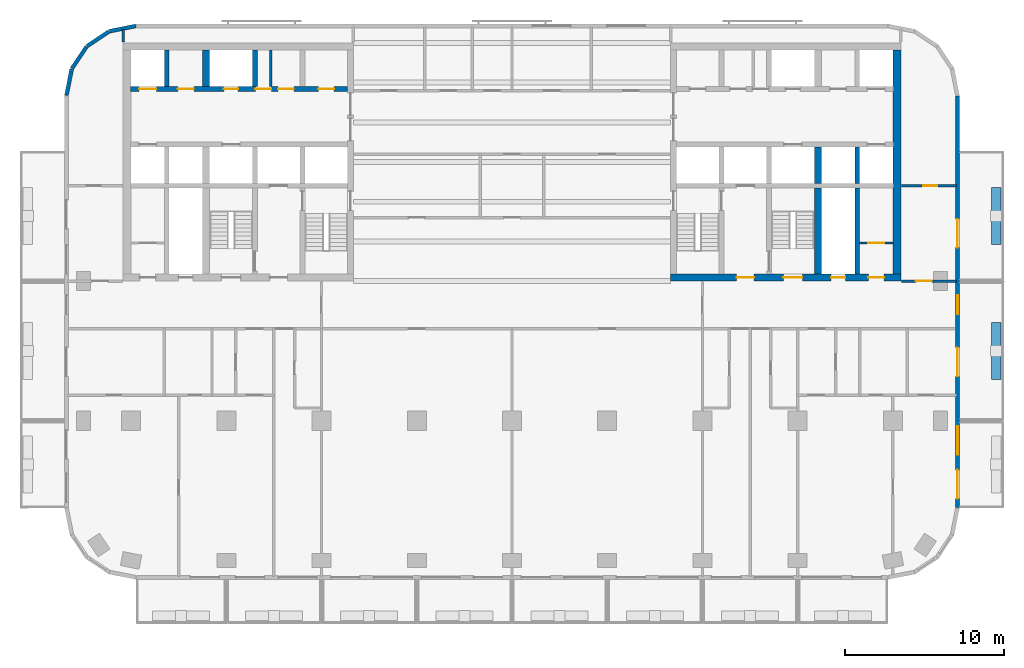
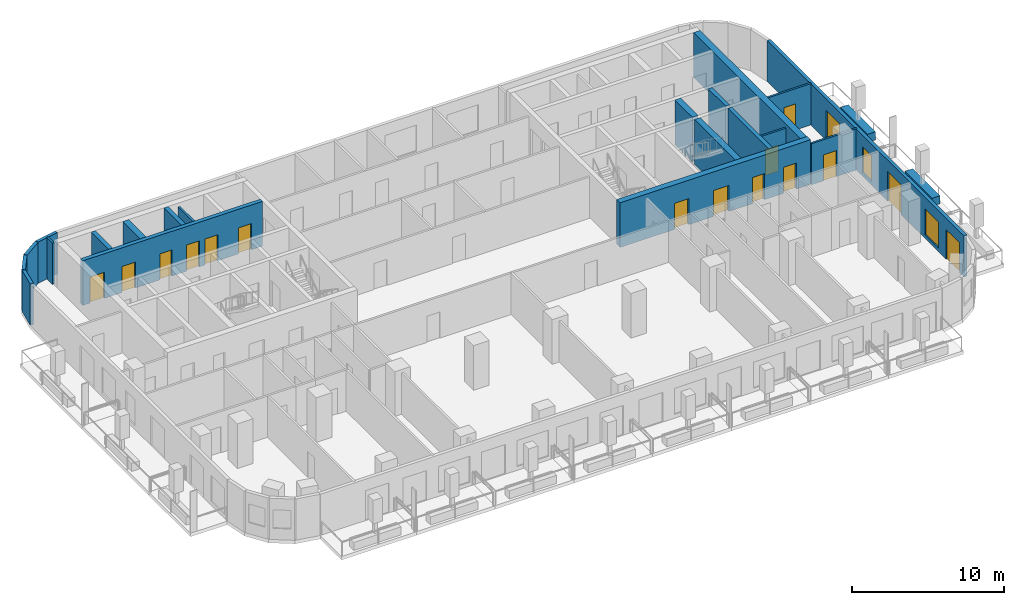
# One storey, part 6 of 11: 22 walls, 16 doors, 2 windows, 18 openings.
"""IFC4 building model written with IfcOpenShell, lengths in metres."""

from ifc_helpers import new_model, si_unit, direction, frame, frame_2d, origin, place, context, subcontext, project, spatial, rectangle, extrude, material, layer, layer_set, type_object, element, fill, save


model = new_model("IFC4")

# Units and contexts
model_context = context("Model", 3, precision=1e-05, world=origin(), true_north=direction((0.0, 1.0)))
body_context = subcontext(model_context, "Body", "Model", "MODEL_VIEW")
ifc_project = project(units=[si_unit("LENGTHUNIT", "METRE"), si_unit("AREAUNIT", "SQUARE_METRE"), si_unit("VOLUMEUNIT", "CUBIC_METRE"), si_unit("PLANEANGLEUNIT", "RADIAN"), si_unit("MASSUNIT", "GRAM", prefix="KILO")], contexts=[model_context])

# Site, building, storey
site_placement = place(None, origin())
site = spatial("IfcSite", under=ifc_project, at=site_placement, CompositionType="ELEMENT")
building_placement = place(site_placement, origin())
building = spatial("IfcBuilding", under=site, at=building_placement, Name="Torana Hotel and Residences", CompositionType="ELEMENT")
storey_placement = place(building_placement, frame((0.0, 0.0, 130.800048828125)))
storey = spatial("IfcBuildingStorey", under=building, at=storey_placement, Name="L33", CompositionType="ELEMENT", Elevation=130.800048828125)

# Wall, openings, doors
ifc_material_1 = material(Name="Concrete C70/85", Category="concrete")
ifc_layer_1 = layer(ifc_material_1, 0.300048828125)
ifc_layer_set_1 = layer_set([ifc_layer_1], Name="CORE WALL 300 C70/85")
wall_type_1 = type_object("IfcWallType", Name="CORE WALL 300 C70/85", PredefinedType="SHEAR", material=ifc_layer_set_1)
wall_1_placement = place(storey_placement, frame((-24.050048828125, -2.89990234375, 0.0), z_axis=(0.0, 0.0, 1.0), x_axis=(1.0, 0.0, 0.0)))
wall_1 = element("IfcWall", 1, at=wall_1_placement, inside=storey, type_object=wall_type_1, Name="Core wall W row-N", PredefinedType="SHEAR", context=body_context, shape_type="SweptSolid", body=[
    extrude(rectangle(XDim=13.699951171875, YDim=0.300048828125, at=frame_2d((6.85009765625, 0.0))), origin(), (0.0, 0.0, 1.0), 3.599853515625),
])
opening_1_placement = place(wall_1_placement, frame((0.550048828125, 0.0, 0.0)))
opening_1 = element("IfcOpeningElement", 2, at=opening_1_placement, cuts=wall_1, Name="Opening LD", PredefinedType="OPENING", context=body_context, shape_type="SweptSolid", body=[
    extrude(rectangle(XDim=1.10009765625, YDim=2.10009765625, at=frame_2d((0.550048828125, 1.050048828125))), frame((0.0, 0.159912109375, 0.0), z_axis=(0.0, -1.0, 0.0), x_axis=(1.0, 0.0, 0.0)), (0.0, 0.0, 1.0), 0.320068359375),
])
opening_2_placement = place(wall_1_placement, frame((5.89990234375, 0.0, 0.0)))
opening_2 = element("IfcOpeningElement", 3, at=opening_2_placement, cuts=wall_1, Name="Opening L33-08", PredefinedType="OPENING", context=body_context, shape_type="SweptSolid", body=[
    extrude(rectangle(XDim=0.89990234375, YDim=2.10009765625, at=frame_2d((0.449951171875, 1.050048828125))), frame((0.0, 0.159912109375, 0.0), z_axis=(0.0, -1.0, 0.0), x_axis=(1.0, 0.0, 0.0)), (0.0, 0.0, 1.0), 0.320068359375),
])
opening_3_placement = place(wall_1_placement, frame((11.85009765625, 0.0, 0.0)))
opening_3 = element("IfcOpeningElement", 4, at=opening_3_placement, cuts=wall_1, Name="Opening L33-09", PredefinedType="OPENING", context=body_context, shape_type="SweptSolid", body=[
    extrude(rectangle(XDim=1.0, YDim=2.10009765625, at=frame_2d((0.5, 1.050048828125))), frame((0.0, 0.159912109375, 0.0), z_axis=(0.0, -1.0, 0.0), x_axis=(1.0, 0.0, 0.0)), (0.0, 0.0, 1.0), 0.320068359375),
])
opening_4_placement = place(wall_1_placement, frame((9.3125, 0.0, 0.0)))
opening_4 = element("IfcOpeningElement", 5, at=opening_4_placement, cuts=wall_1, Name="Opening L33-10", PredefinedType="OPENING", context=body_context, shape_type="SweptSolid", body=[
    extrude(rectangle(XDim=1.0, YDim=2.10009765625, at=frame_2d((0.5, 1.050048828125))), frame((0.0, 0.159912109375, 0.0), z_axis=(0.0, -1.0, 0.0), x_axis=(1.0, 0.0, 0.0)), (0.0, 0.0, 1.0), 0.320068359375),
])
opening_5_placement = place(wall_1_placement, frame((7.887451171875, 0.0, 0.0)))
opening_5 = element("IfcOpeningElement", 6, at=opening_5_placement, cuts=wall_1, Name="Opening L33-11", PredefinedType="OPENING", context=body_context, shape_type="SweptSolid", body=[
    extrude(rectangle(XDim=1.0, YDim=2.10009765625, at=frame_2d((0.5, 1.050048828125))), frame((0.0, 0.159912109375, 0.0), z_axis=(0.0, -1.0, 0.0), x_axis=(1.0, 0.0, 0.0)), (0.0, 0.0, 1.0), 0.320068359375),
])
opening_6_placement = place(wall_1_placement, frame((3.0, 0.0, 0.0)))
opening_6 = element("IfcOpeningElement", 7, at=opening_6_placement, cuts=wall_1, Name="Opening L33-12", PredefinedType="OPENING", context=body_context, shape_type="SweptSolid", body=[
    extrude(rectangle(XDim=1.0, YDim=2.10009765625, at=frame_2d((0.5, 1.050048828125))), frame((0.0, 0.159912109375, 0.0), z_axis=(0.0, -1.0, 0.0), x_axis=(1.0, 0.0, 0.0)), (0.0, 0.0, 1.0), 0.320068359375),
])
ifc_material_2 = material(Name="Steel S235", Category="steel")
door_type_1 = type_object("IfcDoorType", Name="CORE ROOM FIRE DOOR D14 1000x2100", OperationType="SINGLE_SWING_LEFT", PredefinedType="DOOR", material=ifc_material_2)
door_1_placement = place(opening_3_placement, origin())
door_1 = element("IfcDoor", 8, at=door_1_placement, inside=storey, type_object=door_type_1, Name="N0 door L33", OperationType="SINGLE_SWING_RIGHT", OverallHeight=2.10009765625, OverallWidth=1.0, PredefinedType="DOOR", context=body_context, shape_type="SweptSolid", body=[
    extrude(rectangle(XDim=1.0, YDim=2.10009765625, at=frame_2d((0.5, 1.050048828125))), frame((0.0, 0.02490234375, 0.0), z_axis=(0.0, -1.0, 0.0), x_axis=(1.0, 0.0, 0.0)), (0.0, 0.0, 1.0), 0.050048828125),
])
fill(opening_3, door_1)
door_2_placement = place(opening_4_placement, origin())
door_2 = element("IfcDoor", 9, at=door_2_placement, inside=storey, type_object=door_type_1, Name="N1A door L33", OperationType="SINGLE_SWING_RIGHT", OverallHeight=2.10009765625, OverallWidth=1.0, PredefinedType="DOOR", context=body_context, shape_type="SweptSolid", body=[
    extrude(rectangle(XDim=1.0, YDim=2.10009765625, at=frame_2d((0.5, 1.050048828125))), frame((0.0, 0.02490234375, 0.0), z_axis=(0.0, -1.0, 0.0), x_axis=(1.0, 0.0, 0.0)), (0.0, 0.0, 1.0), 0.050048828125),
])
fill(opening_4, door_2)
door_3_placement = place(opening_5_placement, origin())
door_3 = element("IfcDoor", 10, at=door_3_placement, inside=storey, type_object=door_type_1, Name="N1B door L33", OperationType="SINGLE_SWING_RIGHT", OverallHeight=2.10009765625, OverallWidth=1.0, PredefinedType="DOOR", context=body_context, shape_type="SweptSolid", body=[
    extrude(rectangle(XDim=1.0, YDim=2.10009765625, at=frame_2d((0.5, 1.050048828125))), frame((0.0, 0.02490234375, 0.0), z_axis=(0.0, -1.0, 0.0), x_axis=(1.0, 0.0, 0.0)), (0.0, 0.0, 1.0), 0.050048828125),
])
fill(opening_5, door_3)
door_4_placement = place(opening_6_placement, origin())
door_4 = element("IfcDoor", 11, at=door_4_placement, inside=storey, type_object=door_type_1, Name="Freed-S1 door L33", OperationType="SINGLE_SWING_RIGHT", OverallHeight=2.10009765625, OverallWidth=1.0, PredefinedType="DOOR", context=body_context, shape_type="SweptSolid", body=[
    extrude(rectangle(XDim=1.0, YDim=2.10009765625, at=frame_2d((0.5, 1.050048828125))), frame((0.0, 0.02490234375, 0.0), z_axis=(0.0, -1.0, 0.0), x_axis=(1.0, 0.0, 0.0)), (0.0, 0.0, 1.0), 0.050048828125),
])
fill(opening_6, door_4)
ifc_material_3 = material(Name="Stainless steel 316", Category="steel")
door_type_2 = type_object("IfcDoorType", Name="LIFT LANDING DOOR LD 1100x2100", OperationType="DOUBLE_DOOR_SLIDING", PredefinedType="USERDEFINED", material=ifc_material_3)
door_5_placement = place(opening_1_placement, origin())
door_5 = element("IfcDoor", 12, at=door_5_placement, inside=storey, type_object=door_type_2, Name="Lift landing door M1 L33", ObjectType="LIFT LANDING DOOR", OperationType="DOUBLE_DOOR_SLIDING", OverallHeight=2.10009765625, OverallWidth=1.10009765625, PredefinedType="USERDEFINED", context=body_context, shape_type="SweptSolid", body=[
    extrude(rectangle(XDim=1.10009765625, YDim=2.10009765625, at=frame_2d((0.550048828125, 1.050048828125))), frame((0.0, 0.02490234375, 0.0), z_axis=(0.0, -1.0, 0.0), x_axis=(1.0, 0.0, 0.0)), (0.0, 0.0, 1.0), 0.050048828125),
])
fill(opening_1, door_5)
ifc_material_4 = material(Name="Steel S235", Category="steel")
door_type_3 = type_object("IfcDoorType", Name="RISER ACCESS DOOR D5 900x2100", OperationType="SINGLE_SWING_LEFT", PredefinedType="DOOR", material=ifc_material_4)
door_6_placement = place(opening_2_placement, origin())
door_6 = element("IfcDoor", 13, at=door_6_placement, inside=storey, type_object=door_type_3, Name="N2 door L33", OperationType="SINGLE_SWING_RIGHT", OverallHeight=2.10009765625, OverallWidth=0.89990234375, PredefinedType="DOOR", context=body_context, shape_type="SweptSolid", body=[
    extrude(rectangle(XDim=0.89990234375, YDim=2.10009765625, at=frame_2d((0.449951171875, 1.050048828125))), frame((0.0, 0.02490234375, 0.0), z_axis=(0.0, -1.0, 0.0), x_axis=(1.0, 0.0, 0.0)), (0.0, 0.0, 1.0), 0.050048828125),
])
fill(opening_2, door_6)

# Walls
for number, where, z_axis, x_axis, name in (
    (14, (-16.199951171875, -2.75, 0.0), (0.0, 0.0, 1.0), (0.0, 1.0, 0.0), "Core wall W x6.05-N"),
    (15, (-21.75, -2.75, 0.0), (0.0, 0.0, 1.0), (0.0, 1.0, 0.0), "Core wall W mm-N"),
    (16, (21.75, -8.85009765625, 0.0), (0.0, 0.0, 1.0), (0.0, 1.0, 0.0), "Core wall E mm-S"),
):
    element("IfcWall", number, at=place(storey_placement, frame(where, z_axis=z_axis, x_axis=x_axis)), inside=storey, type_object=wall_type_1, Name=name, PredefinedType="SHEAR", context=body_context, shape_type="SweptSolid", body=[
        extrude(rectangle(XDim=2.300048828125, YDim=0.300048828125, at=frame_2d((1.14990234375, 0.0))), origin(), (0.0, 0.0, 1.0), 3.599853515625),
    ])
wall_2_placement = place(storey_placement, frame((21.75, -14.550048828125, 0.0), z_axis=(0.0, 0.0, 1.0), x_axis=(0.0, 1.0, 0.0)))
element("IfcWall", 17, at=wall_2_placement, inside=storey, type_object=wall_type_1, Name="Core wall E mm-band", PredefinedType="SHEAR", context=body_context, shape_type="SweptSolid", body=[
    extrude(rectangle(XDim=5.400146484375, YDim=0.300048828125, at=frame_2d((2.7001953125, 0.0))), origin(), (0.0, 0.0, 1.0), 3.599853515625),
])
ifc_material_5 = material(Name="Concrete C70/85", Category="concrete")
ifc_layer_2 = layer(ifc_material_5, 0.449951171875)
ifc_layer_set_2 = layer_set([ifc_layer_2], Name="CORE WALL 450 C70/85")
wall_type_2 = type_object("IfcWallType", Name="CORE WALL 450 C70/85", PredefinedType="SHEAR", material=ifc_layer_set_2)
wall_3_placement = place(storey_placement, frame((-19.27490234375, -2.75, 0.0), z_axis=(0.0, 0.0, 1.0), x_axis=(0.0, 1.0, 0.0)))
element("IfcWall", 18, at=wall_3_placement, inside=storey, type_object=wall_type_2, Name="Core wall W hm-N", PredefinedType="SHEAR", context=body_context, shape_type="SweptSolid", body=[
    extrude(rectangle(XDim=2.300048828125, YDim=0.449951171875, at=frame_2d((1.14990234375, 0.0))), origin(), (0.0, 0.0, 1.0), 3.599853515625),
])

# Wall, openings, doors
wall_4_placement = place(storey_placement, frame((10.0, -14.77490234375, 0.0), z_axis=(0.0, 0.0, 1.0), x_axis=(1.0, 0.0, 0.0)))
wall_4 = element("IfcWall", 19, at=wall_4_placement, inside=storey, type_object=wall_type_2, Name="Core wall E front", PredefinedType="SHEAR", context=body_context, shape_type="SweptSolid", body=[
    extrude(rectangle(XDim=14.5, YDim=0.449951171875, at=frame_2d((7.25, 0.0))), origin(), (0.0, 0.0, 1.0), 3.599853515625),
])
opening_7_placement = place(wall_4_placement, frame((7.10009765625, 0.0, 0.0)))
opening_7 = element("IfcOpeningElement", 20, at=opening_7_placement, cuts=wall_4, Name="Opening L33-18", PredefinedType="OPENING", context=body_context, shape_type="SweptSolid", body=[
    extrude(rectangle(XDim=1.199951171875, YDim=2.10009765625, at=frame_2d((0.60009765625, 1.050048828125))), frame((0.0, 0.23486328125, 0.0), z_axis=(0.0, -1.0, 0.0), x_axis=(1.0, 0.0, 0.0)), (0.0, 0.0, 1.0), 0.469970703125),
])
opening_8_placement = place(wall_4_placement, frame((4.14990234375, 0.0, 0.0)))
opening_8 = element("IfcOpeningElement", 21, at=opening_8_placement, cuts=wall_4, Name="Opening L33-19", PredefinedType="OPENING", context=body_context, shape_type="SweptSolid", body=[
    extrude(rectangle(XDim=1.10009765625, YDim=2.10009765625, at=frame_2d((0.550048828125, 1.050048828125))), frame((0.0, 0.23486328125, 0.0), z_axis=(0.0, -1.0, 0.0), x_axis=(1.0, 0.0, 0.0)), (0.0, 0.0, 1.0), 0.469970703125),
])
opening_9_placement = place(wall_4_placement, frame((10.10009765625, 0.0, 0.0)))
opening_9 = element("IfcOpeningElement", 22, at=opening_9_placement, cuts=wall_4, Name="Opening L33-20", PredefinedType="OPENING", context=body_context, shape_type="SweptSolid", body=[
    extrude(rectangle(XDim=0.89990234375, YDim=2.10009765625, at=frame_2d((0.449951171875, 1.050048828125))), frame((0.0, 0.23486328125, 0.0), z_axis=(0.0, -1.0, 0.0), x_axis=(1.0, 0.0, 0.0)), (0.0, 0.0, 1.0), 0.469970703125),
])
opening_10_placement = place(wall_4_placement, frame((12.449951171875, 0.0, 0.0)))
opening_10 = element("IfcOpeningElement", 23, at=opening_10_placement, cuts=wall_4, Name="Opening L33-21", PredefinedType="OPENING", context=body_context, shape_type="SweptSolid", body=[
    extrude(rectangle(XDim=1.0, YDim=2.10009765625, at=frame_2d((0.5, 1.050048828125))), frame((0.0, 0.23486328125, 0.0), z_axis=(0.0, -1.0, 0.0), x_axis=(1.0, 0.0, 0.0)), (0.0, 0.0, 1.0), 0.469970703125),
])
door_7_placement = place(opening_10_placement, origin())
door_7 = element("IfcDoor", 24, at=door_7_placement, inside=storey, type_object=door_type_1, Name="M-Room-B door L33", OperationType="SINGLE_SWING_RIGHT", OverallHeight=2.10009765625, OverallWidth=1.0, PredefinedType="DOOR", context=body_context, shape_type="SweptSolid", body=[
    extrude(rectangle(XDim=1.0, YDim=2.10009765625, at=frame_2d((0.5, 1.050048828125))), frame((0.0, 0.02490234375, 0.0), z_axis=(0.0, -1.0, 0.0), x_axis=(1.0, 0.0, 0.0)), (0.0, 0.0, 1.0), 0.050048828125),
])
fill(opening_10, door_7)
ifc_material_6 = material(Name="Steel S235", Category="steel")
door_type_4 = type_object("IfcDoorType", Name="FIRE-FIGHTING LOBBY DOOR D8 1100x2100", OperationType="SINGLE_SWING_LEFT", PredefinedType="DOOR", material=ifc_material_6)
door_8_placement = place(opening_8_placement, origin())
door_8 = element("IfcDoor", 25, at=door_8_placement, inside=storey, type_object=door_type_4, Name="FF-lobby door L33", OperationType="SINGLE_SWING_RIGHT", OverallHeight=2.10009765625, OverallWidth=1.10009765625, PredefinedType="DOOR", context=body_context, shape_type="SweptSolid", body=[
    extrude(rectangle(XDim=1.10009765625, YDim=2.10009765625, at=frame_2d((0.550048828125, 1.050048828125))), frame((0.0, 0.02490234375, 0.0), z_axis=(0.0, -1.0, 0.0), x_axis=(1.0, 0.0, 0.0)), (0.0, 0.0, 1.0), 0.050048828125),
])
fill(opening_8, door_8)
door_9_placement = place(opening_9_placement, origin())
door_9 = element("IfcDoor", 26, at=door_9_placement, inside=storey, type_object=door_type_3, Name="M-Riser door L33", OperationType="SINGLE_SWING_RIGHT", OverallHeight=2.10009765625, OverallWidth=0.89990234375, PredefinedType="DOOR", context=body_context, shape_type="SweptSolid", body=[
    extrude(rectangle(XDim=0.89990234375, YDim=2.10009765625, at=frame_2d((0.449951171875, 1.050048828125))), frame((0.0, 0.02490234375, 0.0), z_axis=(0.0, -1.0, 0.0), x_axis=(1.0, 0.0, 0.0)), (0.0, 0.0, 1.0), 0.050048828125),
])
fill(opening_9, door_9)
ifc_material_7 = material(Name="Steel S235", Category="steel")
door_type_5 = type_object("IfcDoorType", Name="STAIR FIRE DOOR D3 1200x2100", OperationType="SINGLE_SWING_LEFT", PredefinedType="DOOR", material=ifc_material_7)
door_10_placement = place(opening_7_placement, origin())
door_10 = element("IfcDoor", 27, at=door_10_placement, inside=storey, type_object=door_type_5, Name="Stair-B door L33", OperationType="SINGLE_SWING_RIGHT", OverallHeight=2.10009765625, OverallWidth=1.199951171875, PredefinedType="DOOR", context=body_context, shape_type="SweptSolid", body=[
    extrude(rectangle(XDim=1.199951171875, YDim=2.10009765625, at=frame_2d((0.60009765625, 1.050048828125))), frame((0.0, 0.02490234375, 0.0), z_axis=(0.0, -1.0, 0.0), x_axis=(1.0, 0.0, 0.0)), (0.0, 0.0, 1.0), 0.050048828125),
])
fill(opening_7, door_10)

# Walls
wall_5_placement = place(storey_placement, frame((19.27490234375, -8.85009765625, 0.0), z_axis=(0.0, 0.0, 1.0), x_axis=(0.0, 1.0, 0.0)))
element("IfcWall", 28, at=wall_5_placement, inside=storey, type_object=wall_type_2, Name="Core wall E hm-S", PredefinedType="SHEAR", context=body_context, shape_type="SweptSolid", body=[
    extrude(rectangle(XDim=2.300048828125, YDim=0.449951171875, at=frame_2d((1.14990234375, 0.0))), origin(), (0.0, 0.0, 1.0), 3.599853515625),
])
wall_6_placement = place(storey_placement, frame((19.27490234375, -14.550048828125, 0.0), z_axis=(0.0, 0.0, 1.0), x_axis=(0.0, 1.0, 0.0)))
element("IfcWall", 29, at=wall_6_placement, inside=storey, type_object=wall_type_2, Name="Core wall E hm-band", PredefinedType="SHEAR", context=body_context, shape_type="SweptSolid", body=[
    extrude(rectangle(XDim=5.400146484375, YDim=0.449951171875, at=frame_2d((2.7001953125, 0.0))), origin(), (0.0, 0.0, 1.0), 3.599853515625),
])
ifc_material_8 = material(Name="Concrete C70/85", Category="concrete")
ifc_layer_3 = layer(ifc_material_8, 0.5)
ifc_layer_set_3 = layer_set([ifc_layer_3], Name="CORE WALL 500 C70/85")
wall_type_3 = type_object("IfcWallType", Name="CORE WALL 500 C70/85", PredefinedType="SHEAR", material=ifc_layer_set_3)
wall_7_placement = place(storey_placement, frame((24.25, -14.550048828125, 0.0), z_axis=(0.0, 0.0, 1.0), x_axis=(0.0, 1.0, 0.0)))
element("IfcWall", 30, at=wall_7_placement, inside=storey, type_object=wall_type_3, Name="Core wall E outer", PredefinedType="SHEAR", context=body_context, shape_type="SweptSolid", body=[
    extrude(rectangle(XDim=14.10009765625, YDim=0.5, at=frame_2d((7.050048828125, 0.0))), origin(), (0.0, 0.0, 1.0), 3.599853515625),
])
ifc_material_9 = material(Name="Black aluminium composite panel", Category="aluminium")
ifc_layer_4 = layer(ifc_material_9, 0.00390625, Name="Cladding", Category="cladding")
ifc_material_10 = material(Name="Ventilated air cavity")
ifc_layer_5 = layer(ifc_material_10, 0.0400390625, Name="Ventilated cavity", Category="cavity")
ifc_material_11 = material(Name="Mineral wool insulation")
ifc_layer_6 = layer(ifc_material_11, 0.090087890625, Name="Insulation", Category="insulation")
ifc_material_12 = material(Name="Steel S280GD", Category="steel")
ifc_layer_7 = layer(ifc_material_12, 0.092041015625, Name="Steel stud frame", Category="structure")
ifc_material_13 = material(Name="Fire rated plasterboard")
ifc_layer_8 = layer(ifc_material_13, 0.011962890625, Name="Inner board", Category="finish")
ifc_layer_9 = layer(ifc_material_13, 0.011962890625, Name="Second board", Category="finish")
ifc_layer_set_4 = layer_set([ifc_layer_4, ifc_layer_5, ifc_layer_6, ifc_layer_7, ifc_layer_8, ifc_layer_9], Name="EW1 EXTERNAL WALL BLACK METAL CLAD 250")
wall_type_4 = type_object("IfcWallType", Name="EW1 EXTERNAL WALL BLACK METAL CLAD 250", PredefinedType="SOLIDWALL", material=ifc_layer_set_4)
wall_8_placement = place(storey_placement, frame((-23.69970703125, 1.072509765625, 0.0), z_axis=(0.0, 0.0, 1.0), x_axis=(-0.980803419081, -0.194999110559, 0.0)))
element("IfcWall", 31, at=wall_8_placement, inside=storey, type_object=wall_type_4, Name="External wall L33 e0.5", PredefinedType="SOLIDWALL", context=body_context, shape_type="SweptSolid", body=[
    extrude(rectangle(XDim=1.681396484375, YDim=0.25, at=frame_2d((0.8408203125, 0.0))), origin(), (0.0, 0.0, 1.0), 3.320068359375),
])
for number, where, z_axis, x_axis, name in (
    (32, (-25.39404296875, 0.725830078125, 0.0), (0.0, 0.0, 1.0), (-0.831482937015, -0.55555029066, 0.0), "External wall L33 e0.6"),
    (33, (-26.8056640625, -0.228759765625, 0.0), (0.0, 0.0, 1.0), (-0.55555029066, -0.831482937015, 0.0), "External wall L33 e0.7"),
):
    element("IfcWall", number, at=place(storey_placement, frame(where, z_axis=z_axis, x_axis=x_axis)), inside=storey, type_object=wall_type_4, Name=name, PredefinedType="SOLIDWALL", context=body_context, shape_type="SweptSolid", body=[
        extrude(rectangle(XDim=1.65625, YDim=0.25, at=frame_2d((0.828125, 0.0))), origin(), (0.0, 0.0, 1.0), 3.320068359375),
    ])
wall_9_placement = place(storey_placement, frame((-27.74462890625, -1.651123046875, 0.0), z_axis=(0.0, 0.0, 1.0), x_axis=(-0.194999110559, -0.980803419081, 0.0)))
element("IfcWall", 34, at=wall_9_placement, inside=storey, type_object=wall_type_4, Name="External wall L33 e0.8", PredefinedType="SOLIDWALL", context=body_context, shape_type="SweptSolid", body=[
    extrude(rectangle(XDim=1.681396484375, YDim=0.25, at=frame_2d((0.8408203125, 0.0))), origin(), (0.0, 0.0, 1.0), 3.320068359375),
])

# Wall, openings, doors, windows
wall_10_placement = place(storey_placement, frame((28.074951171875, -29.275390625, 0.0), z_axis=(0.0, 0.0, 1.0), x_axis=(0.0, 1.0, 0.0)))
wall_10 = element("IfcWall", 35, at=wall_10_placement, inside=storey, type_object=wall_type_4, Name="External wall L33 e0.19", PredefinedType="SOLIDWALL", context=body_context, shape_type="SweptSolid", body=[
    extrude(rectangle(XDim=25.95068359375, YDim=0.25, at=frame_2d((12.975341796875, 0.0))), origin(), (0.0, 0.0, 1.0), 3.320068359375),
])
opening_11_placement = place(wall_10_placement, frame((0.575439453125, 0.0, 0.0)))
opening_11 = element("IfcOpeningElement", 36, at=opening_11_placement, cuts=wall_10, Name="Opening L33-E09", PredefinedType="OPENING", context=body_context, shape_type="SweptSolid", body=[
    extrude(rectangle(XDim=1.800048828125, YDim=2.39990234375, at=frame_2d((0.89990234375, 1.199951171875))), frame((0.0, 0.135009765625, 0.0), z_axis=(0.0, -1.0, 0.0), x_axis=(1.0, 0.0, 0.0)), (0.0, 0.0, 1.0), 0.27001953125),
])
opening_12_placement = place(wall_10_placement, frame((3.325439453125, 0.0, 0.300048828125)))
opening_12 = element("IfcOpeningElement", 37, at=opening_12_placement, cuts=wall_10, Name="Opening W2", PredefinedType="OPENING", context=body_context, shape_type="SweptSolid", body=[
    extrude(rectangle(XDim=1.800048828125, YDim=2.10009765625, at=frame_2d((0.89990234375, 1.050048828125))), frame((0.0, 0.135009765625, 0.0), z_axis=(0.0, -1.0, 0.0), x_axis=(1.0, 0.0, 0.0)), (0.0, 0.0, 1.0), 0.27001953125),
])
opening_13_placement = place(wall_10_placement, frame((8.275390625, 0.0, 0.0)))
opening_13 = element("IfcOpeningElement", 38, at=opening_13_placement, cuts=wall_10, Name="Opening L33-E10", PredefinedType="OPENING", context=body_context, shape_type="SweptSolid", body=[
    extrude(rectangle(XDim=1.800048828125, YDim=2.39990234375, at=frame_2d((0.89990234375, 1.199951171875))), frame((0.0, 0.135009765625, 0.0), z_axis=(0.0, -1.0, 0.0), x_axis=(1.0, 0.0, 0.0)), (0.0, 0.0, 1.0), 0.27001953125),
])
opening_14_placement = place(wall_10_placement, frame((12.17529296875, 0.0, 0.300048828125)))
opening_14 = element("IfcOpeningElement", 39, at=opening_14_placement, cuts=wall_10, Name="Opening W7", PredefinedType="OPENING", context=body_context, shape_type="SweptSolid", body=[
    extrude(rectangle(XDim=1.199951171875, YDim=2.10009765625, at=frame_2d((0.60009765625, 1.050048828125))), frame((0.0, 0.135009765625, 0.0), z_axis=(0.0, -1.0, 0.0), x_axis=(1.0, 0.0, 0.0)), (0.0, 0.0, 1.0), 0.27001953125),
])
opening_15_placement = place(wall_10_placement, frame((16.37548828125, 0.0, 0.0)))
opening_15 = element("IfcOpeningElement", 40, at=opening_15_placement, cuts=wall_10, Name="Opening L33-E11", PredefinedType="OPENING", context=body_context, shape_type="SweptSolid", body=[
    extrude(rectangle(XDim=1.800048828125, YDim=2.39990234375, at=frame_2d((0.89990234375, 1.199951171875))), frame((0.0, 0.135009765625, 0.0), z_axis=(0.0, -1.0, 0.0), x_axis=(1.0, 0.0, 0.0)), (0.0, 0.0, 1.0), 0.27001953125),
])
ifc_material_14 = material(Name="Dark glass in black aluminium frame", Category="aluminium")
door_type_6 = type_object("IfcDoorType", Name="DB1 BALCONY DOOR 1800x2400", OperationType="DOUBLE_DOOR_SINGLE_SWING", PredefinedType="DOOR", material=ifc_material_14)
door_11_placement = place(opening_11_placement, origin())
door_11 = element("IfcDoor", 41, at=door_11_placement, inside=storey, type_object=door_type_6, Name="Balcony door L33", OperationType="DOUBLE_DOOR_SINGLE_SWING", OverallHeight=2.39990234375, OverallWidth=1.800048828125, PredefinedType="DOOR", context=body_context, shape_type="SweptSolid", body=[
    extrude(rectangle(XDim=1.800048828125, YDim=2.39990234375, at=frame_2d((0.89990234375, 1.199951171875))), frame((0.0, 0.02490234375, 0.0), z_axis=(0.0, -1.0, 0.0), x_axis=(1.0, 0.0, 0.0)), (0.0, 0.0, 1.0), 0.050048828125),
])
fill(opening_11, door_11)
door_12_placement = place(opening_13_placement, origin())
door_12 = element("IfcDoor", 42, at=door_12_placement, inside=storey, type_object=door_type_6, Name="Balcony door L33", OperationType="DOUBLE_DOOR_SINGLE_SWING", OverallHeight=2.39990234375, OverallWidth=1.800048828125, PredefinedType="DOOR", context=body_context, shape_type="SweptSolid", body=[
    extrude(rectangle(XDim=1.800048828125, YDim=2.39990234375, at=frame_2d((0.89990234375, 1.199951171875))), frame((0.0, 0.02490234375, 0.0), z_axis=(0.0, -1.0, 0.0), x_axis=(1.0, 0.0, 0.0)), (0.0, 0.0, 1.0), 0.050048828125),
])
fill(opening_13, door_12)
door_13_placement = place(opening_15_placement, origin())
door_13 = element("IfcDoor", 43, at=door_13_placement, inside=storey, type_object=door_type_6, Name="Balcony door L33", OperationType="DOUBLE_DOOR_SINGLE_SWING", OverallHeight=2.39990234375, OverallWidth=1.800048828125, PredefinedType="DOOR", context=body_context, shape_type="SweptSolid", body=[
    extrude(rectangle(XDim=1.800048828125, YDim=2.39990234375, at=frame_2d((0.89990234375, 1.199951171875))), frame((0.0, 0.02490234375, 0.0), z_axis=(0.0, -1.0, 0.0), x_axis=(1.0, 0.0, 0.0)), (0.0, 0.0, 1.0), 0.050048828125),
])
fill(opening_15, door_13)
ifc_material_15 = material(Name="Dark glass in black aluminium frame", Category="aluminium")
window_type_1 = type_object("IfcWindowType", Name="W2 HOTEL ROOM WINDOW NARROW 1800x2100", PartitioningType="SINGLE_PANEL", PredefinedType="WINDOW", material=ifc_material_15)
window_1_placement = place(opening_12_placement, origin())
window_1 = element("IfcWindow", 44, at=window_1_placement, inside=storey, type_object=window_type_1, Name="Window L33", OverallHeight=2.10009765625, OverallWidth=1.800048828125, PartitioningType="SINGLE_PANEL", PredefinedType="WINDOW", context=body_context, shape_type="SweptSolid", body=[
    extrude(rectangle(XDim=1.800048828125, YDim=2.10009765625, at=frame_2d((0.89990234375, 1.050048828125))), frame((0.0, 0.030029296875, 0.0), z_axis=(0.0, -1.0, 0.0), x_axis=(1.0, 0.0, 0.0)), (0.0, 0.0, 1.0), 0.06005859375),
])
fill(opening_12, window_1)
ifc_material_16 = material(Name="Dark glass in black aluminium frame", Category="aluminium")
window_type_2 = type_object("IfcWindowType", Name="W7 HOTEL CORRIDOR WINDOW 1200x2100", PartitioningType="SINGLE_PANEL", PredefinedType="WINDOW", material=ifc_material_16)
window_2_placement = place(opening_14_placement, origin())
window_2 = element("IfcWindow", 45, at=window_2_placement, inside=storey, type_object=window_type_2, Name="Window L33", OverallHeight=2.10009765625, OverallWidth=1.199951171875, PartitioningType="SINGLE_PANEL", PredefinedType="WINDOW", context=body_context, shape_type="SweptSolid", body=[
    extrude(rectangle(XDim=1.199951171875, YDim=2.10009765625, at=frame_2d((0.60009765625, 1.050048828125))), frame((0.0, 0.030029296875, 0.0), z_axis=(0.0, -1.0, 0.0), x_axis=(1.0, 0.0, 0.0)), (0.0, 0.0, 1.0), 0.06005859375),
])
fill(opening_14, window_2)

# Wall
ifc_material_17 = material(Name="Gypsum plaster")
ifc_layer_10 = layer(ifc_material_17, 0.014892578125, Name="Plaster", Category="finish")
ifc_material_18 = material(Name="Concrete blockwork", Category="masonry")
ifc_layer_11 = layer(ifc_material_18, 0.1201171875, Name="Blockwork", Category="structure")
ifc_layer_12 = layer(ifc_material_17, 0.014892578125, Name="Plaster", Category="finish")
ifc_layer_set_5 = layer_set([ifc_layer_10, ifc_layer_11, ifc_layer_12], Name="FIRE PARTITION 150 BLOCKWORK")
wall_type_5 = type_object("IfcWallType", Name="FIRE PARTITION 150 BLOCKWORK", PredefinedType="PARTITIONING", material=ifc_layer_set_5)
wall_11_placement = place(storey_placement, frame((-15.199951171875, -2.75, 0.0), z_axis=(0.0, 0.0, 1.0), x_axis=(0.0, 1.0, 0.0)))
element("IfcWall", 46, at=wall_11_placement, inside=storey, type_object=wall_type_5, Name="Core partition L33", PredefinedType="PARTITIONING", context=body_context, shape_type="SweptSolid", body=[
    extrude(rectangle(XDim=2.300048828125, YDim=0.14990234375, at=frame_2d((1.14990234375, 0.0))), origin(), (0.0, 0.0, 1.0), 3.300048828125),
])

# Wall, opening, door
wall_12_placement = place(storey_placement, frame((21.89990234375, -12.60009765625, 0.0), z_axis=(0.0, 0.0, 1.0), x_axis=(1.0, 0.0, 0.0)))
wall_12 = element("IfcWall", 47, at=wall_12_placement, inside=storey, type_object=wall_type_5, Name="Core partition L33", PredefinedType="PARTITIONING", context=body_context, shape_type="SweptSolid", body=[
    extrude(rectangle(XDim=2.10009765625, YDim=0.14990234375, at=frame_2d((1.050048828125, 0.0))), origin(), (0.0, 0.0, 1.0), 3.300048828125),
])
opening_16_placement = place(wall_12_placement, frame((0.550048828125, 0.0, 0.0)))
opening_16 = element("IfcOpeningElement", 48, at=opening_16_placement, cuts=wall_12, Name="Opening L33-30", PredefinedType="OPENING", context=body_context, shape_type="SweptSolid", body=[
    extrude(rectangle(XDim=1.0, YDim=2.10009765625, at=frame_2d((0.5, 1.050048828125))), frame((0.0, 0.0849609375, 0.0), z_axis=(0.0, -1.0, 0.0), x_axis=(1.0, 0.0, 0.0)), (0.0, 0.0, 1.0), 0.169921875),
])
door_14_placement = place(opening_16_placement, origin())
door_14 = element("IfcDoor", 49, at=door_14_placement, inside=storey, type_object=door_type_1, Name="Plant room door L33", OperationType="SINGLE_SWING_RIGHT", OverallHeight=2.10009765625, OverallWidth=1.0, PredefinedType="DOOR", context=body_context, shape_type="SweptSolid", body=[
    extrude(rectangle(XDim=1.0, YDim=2.10009765625, at=frame_2d((0.5, 1.050048828125))), frame((0.0, 0.02490234375, 0.0), z_axis=(0.0, -1.0, 0.0), x_axis=(1.0, 0.0, 0.0)), (0.0, 0.0, 1.0), 0.050048828125),
])
fill(opening_16, door_14)

wall_13_placement = place(storey_placement, frame((24.550048828125, -15.0, 0.0), z_axis=(0.0, 0.0, 1.0), x_axis=(1.0, 0.0, 0.0)))
wall_13 = element("IfcWall", 50, at=wall_13_placement, inside=storey, type_object=wall_type_5, Name="Partition L33", PredefinedType="PARTITIONING", context=body_context, shape_type="SweptSolid", body=[
    extrude(rectangle(XDim=3.469970703125, YDim=0.14990234375, at=frame_2d((1.73486328125, 0.0))), origin(), (0.0, 0.0, 1.0), 3.320068359375),
])
opening_17_placement = place(wall_13_placement, frame((0.89990234375, 0.0, 0.0)))
opening_17 = element("IfcOpeningElement", 51, at=opening_17_placement, cuts=wall_13, Name="Opening L33-39", PredefinedType="OPENING", context=body_context, shape_type="SweptSolid", body=[
    extrude(rectangle(XDim=1.0, YDim=2.10009765625, at=frame_2d((0.5, 1.050048828125))), frame((0.0, 0.0849609375, 0.0), z_axis=(0.0, -1.0, 0.0), x_axis=(1.0, 0.0, 0.0)), (0.0, 0.0, 1.0), 0.169921875),
])
door_15_placement = place(opening_17_placement, origin())
door_15 = element("IfcDoor", 52, at=door_15_placement, inside=storey, type_object=door_type_1, Name="Door L33", OperationType="SINGLE_SWING_LEFT", OverallHeight=2.10009765625, OverallWidth=1.0, PredefinedType="DOOR", context=body_context, shape_type="SweptSolid", body=[
    extrude(rectangle(XDim=1.0, YDim=2.10009765625, at=frame_2d((0.5, 1.050048828125))), frame((0.0, 0.02490234375, 0.0), z_axis=(0.0, -1.0, 0.0), x_axis=(1.0, 0.0, 0.0)), (0.0, 0.0, 1.0), 0.050048828125),
])
fill(opening_17, door_15)

# Wall
ifc_material_19 = material(Name="Gypsum plasterboard")
ifc_layer_13 = layer(ifc_material_19, 0.012451171875, Name="Plasterboard", Category="finish")
ifc_layer_14 = layer(ifc_material_19, 0.012451171875, Name="Plasterboard", Category="finish")
ifc_layer_15 = layer(ifc_material_12, 0.10009765625, Name="Steel studs with mineral wool", Category="insulation")
ifc_layer_16 = layer(ifc_material_19, 0.012451171875, Name="Plasterboard", Category="finish")
ifc_layer_17 = layer(ifc_material_19, 0.012451171875, Name="Plasterboard", Category="finish")
ifc_layer_set_6 = layer_set([ifc_layer_13, ifc_layer_14, ifc_layer_15, ifc_layer_16, ifc_layer_17], Name="PARTITION 150 PLASTERBOARD")
wall_type_6 = type_object("IfcWallType", Name="PARTITION 150 PLASTERBOARD", PredefinedType="PARTITIONING", material=ifc_layer_set_6)
wall_14_placement = place(storey_placement, frame((-24.5, 0.050048828125, 0.0), z_axis=(0.0, 0.0, 1.0), x_axis=(0.0, 1.0, 0.0)))
element("IfcWall", 53, at=wall_14_placement, inside=storey, type_object=wall_type_6, Name="Partition L33", PredefinedType="PARTITIONING", context=body_context, shape_type="SweptSolid", body=[
    extrude(rectangle(XDim=0.807373046875, YDim=0.14990234375, at=frame_2d((0.40380859375, 0.0))), origin(), (0.0, 0.0, 1.0), 3.320068359375),
])

# Wall, opening, door
wall_15_placement = place(storey_placement, frame((24.550048828125, -9.0, 0.0), z_axis=(0.0, 0.0, 1.0), x_axis=(1.0, 0.0, 0.0)))
wall_15 = element("IfcWall", 54, at=wall_15_placement, inside=storey, type_object=wall_type_6, Name="Partition L33", PredefinedType="PARTITIONING", context=body_context, shape_type="SweptSolid", body=[
    extrude(rectangle(XDim=3.469970703125, YDim=0.14990234375, at=frame_2d((1.73486328125, 0.0))), origin(), (0.0, 0.0, 1.0), 3.320068359375),
])
opening_18_placement = place(wall_15_placement, frame((1.35009765625, 0.0, 0.0)))
opening_18 = element("IfcOpeningElement", 55, at=opening_18_placement, cuts=wall_15, Name="Opening L33-65", PredefinedType="OPENING", context=body_context, shape_type="SweptSolid", body=[
    extrude(rectangle(XDim=0.89990234375, YDim=2.10009765625, at=frame_2d((0.449951171875, 1.050048828125))), frame((0.0, 0.0849609375, 0.0), z_axis=(0.0, -1.0, 0.0), x_axis=(1.0, 0.0, 0.0)), (0.0, 0.0, 1.0), 0.169921875),
])
ifc_material_20 = material(Name="Timber door, oiled ash", Category="wood")
door_type_7 = type_object("IfcDoorType", Name="ROOM DOOR D7 900x2100", OperationType="SINGLE_SWING_LEFT", PredefinedType="DOOR", material=ifc_material_20)
door_16_placement = place(opening_18_placement, origin())
door_16 = element("IfcDoor", 56, at=door_16_placement, inside=storey, type_object=door_type_7, Name="Door L33", OperationType="SINGLE_SWING_LEFT", OverallHeight=2.10009765625, OverallWidth=0.89990234375, PredefinedType="DOOR", context=body_context, shape_type="SweptSolid", body=[
    extrude(rectangle(XDim=0.89990234375, YDim=2.10009765625, at=frame_2d((0.449951171875, 1.050048828125))), frame((0.0, 0.02490234375, 0.0), z_axis=(0.0, -1.0, 0.0), x_axis=(1.0, 0.0, 0.0)), (0.0, 0.0, 1.0), 0.050048828125),
])
fill(opening_18, door_16)

# Walls
ifc_material_21 = material(Name="Concrete C40/50 precast", Category="concrete")
ifc_layer_18 = layer(ifc_material_21, 0.10009765625, Name="Planter shell", Category="structure")
ifc_material_22 = material(Name="Root resistant membrane")
ifc_layer_19 = layer(ifc_material_22, 0.00390625, Name="Waterproofing membrane", Category="membrane")
ifc_material_23 = material(Name="Drainage board with filter fleece")
ifc_layer_20 = layer(ifc_material_23, 0.02001953125, Name="Drainage board", Category="drainage")
ifc_material_24 = material(Name="Growing medium")
ifc_layer_21 = layer(ifc_material_24, 0.47607421875, Name="Planting substrate", Category="soil")
ifc_layer_set_7 = layer_set([ifc_layer_18, ifc_layer_19, ifc_layer_20, ifc_layer_21], Name="PL1 BALCONY PLANTER 600")
wall_type_7 = type_object("IfcWallType", Name="PL1 BALCONY PLANTER 600", PredefinedType="USERDEFINED", material=ifc_layer_set_7)
for number, where, z_axis, x_axis, name in (
    (57, (30.5, -17.60009765625, 0.0), (0.0, 0.0, 1.0), (0.0, -1.0, 0.0), "Planter 13"),
    (58, (30.5, -9.10009765625, 0.0), (0.0, 0.0, 1.0), (0.0, -1.0, 0.0), "Planter 14"),
):
    element("IfcWall", number, at=place(storey_placement, frame(where, z_axis=z_axis, x_axis=x_axis)), inside=storey, type_object=wall_type_7, Name=name, ObjectType="PLANTER", PredefinedType="USERDEFINED", context=body_context, shape_type="SweptSolid", body=[
        extrude(rectangle(XDim=3.599853515625, YDim=0.60009765625, at=frame_2d((1.7998046875, 0.0))), origin(), (0.0, 0.0, 1.0), 0.64990234375),
    ])

save(model, "model.ifc")
